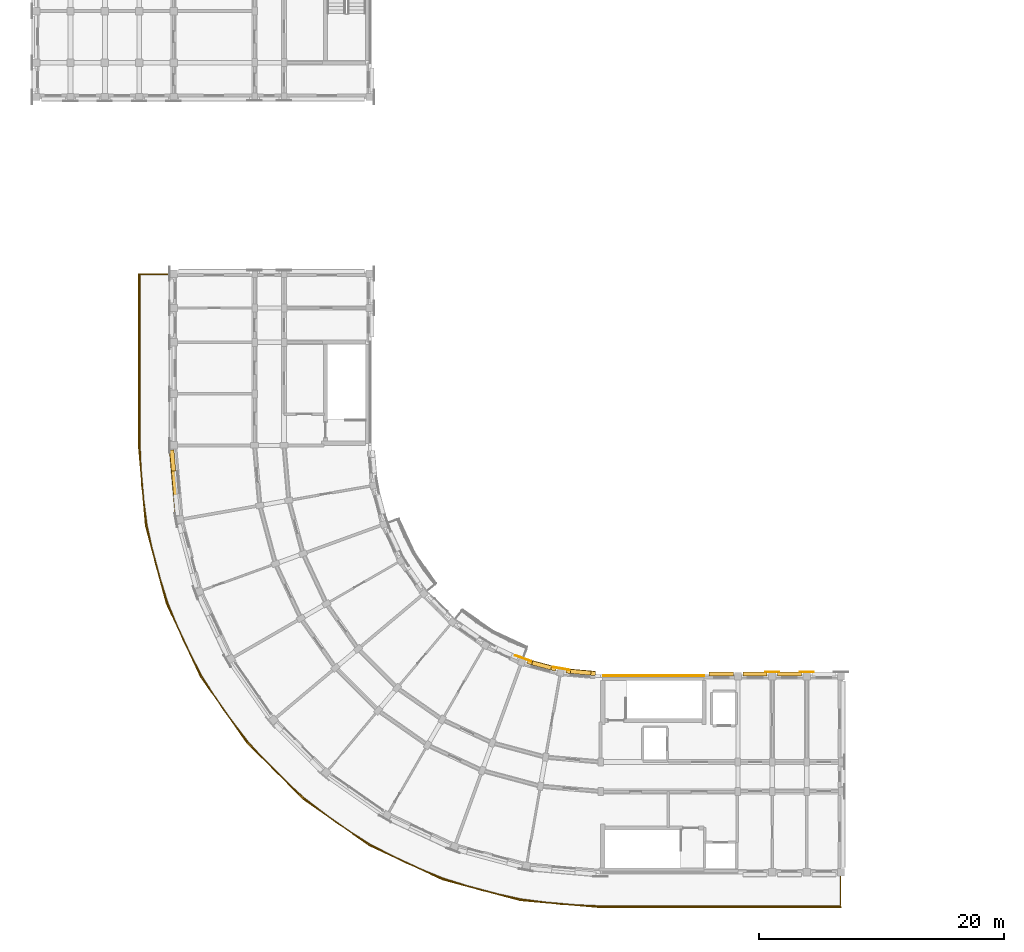
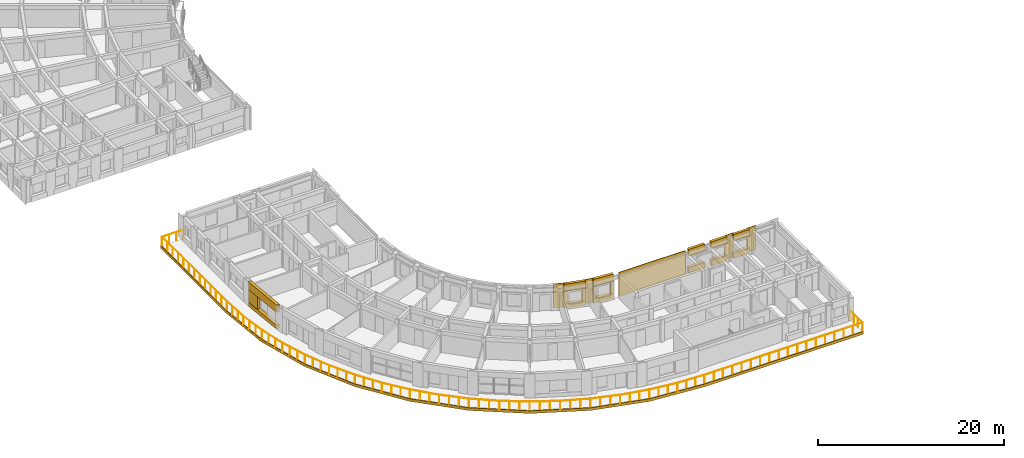
# One storey, part 38 of 53: 23 coverings, 1 railing.
"""IFC4 building model written with IfcOpenShell, lengths in metres."""

from ifc_helpers import new_model, si_unit, direction, frame, origin, origin_2d, place, context, subcontext, project, spatial, polyline, circle, outline, extrude, material, layer, layer_set, type_object, element, save


model = new_model("IFC4")

# Units and contexts
model_context = context("Model", 3, precision=1e-05, world=origin(), true_north=direction((0.0, 1.0)))
body_context = subcontext(model_context, "Body", "Model", "MODEL_VIEW")
ifc_project = project(units=[si_unit("LENGTHUNIT", "METRE"), si_unit("AREAUNIT", "SQUARE_METRE"), si_unit("VOLUMEUNIT", "CUBIC_METRE"), si_unit("PLANEANGLEUNIT", "RADIAN"), si_unit("MASSUNIT", "GRAM", prefix="KILO")], contexts=[model_context])

# Site, building, storey
site_placement = place(None, origin())
site = spatial("IfcSite", under=ifc_project, at=site_placement, CompositionType="ELEMENT")
building_placement = place(site_placement, origin())
building = spatial("IfcBuilding", under=site, at=building_placement, Name="Kiranvali Square Residences", CompositionType="ELEMENT")
storey_placement = place(building_placement, frame((0.0, 0.0, 30.75)))
storey = spatial("IfcBuildingStorey", under=building, at=storey_placement, Name="L09", CompositionType="ELEMENT", Elevation=30.75)

# Coverings
ifc_material_1 = material(Name="Carved Porbandar limestone classical entablature and cornice", Category="masonry")
ifc_layer_1 = layer(ifc_material_1, 0.449951171875)
ifc_layer_set_1 = layer_set([ifc_layer_1], Name="Carved Porbandar limestone classical entablature and cornice")
covering_type_1 = type_object("IfcCoveringType", Name="COV-CLAD-CORN", PredefinedType="CLADDING", material=ifc_layer_set_1)
covering_1_placement = place(storey_placement, frame((0.0, 0.0, -0.280029296875)))
element("IfcCovering", 1, at=covering_1_placement, inside=storey, type_object=covering_type_1, Name="Block C L09 stepped curved terrace stone cornice band", PredefinedType="CLADDING", context=body_context, shape_type="SweptSolid", body=[
    extrude(outline(polyline([(67.800048828125, 10.597900390625), (48.199951171875, 10.597900390625), (41.67041015625, 11.169189453125), (35.33935546875, 12.86572265625), (29.39892578125, 15.6357421875), (24.02978515625, 19.395263671875), (19.395263671875, 24.02978515625), (15.6357421875, 29.39892578125), (12.86572265625, 35.33935546875), (11.169189453125, 41.67041015625), (10.597900390625, 48.199951171875), (10.597900390625, 62.199951171875), (10.514892578125, 62.199951171875), (10.514892578125, 48.199951171875), (11.08740234375, 41.656005859375), (12.78759765625, 35.31103515625), (15.563720703125, 29.357421875), (19.33154296875, 23.9765625), (23.9765625, 19.33154296875), (29.357421875, 15.563720703125), (35.31103515625, 12.78759765625), (41.656005859375, 11.08740234375), (48.199951171875, 10.514892578125), (67.800048828125, 10.514892578125), (67.800048828125, 10.597900390625)])), origin(), (0.0, 0.0, 1.0), 0.360107421875),
])
ifc_material_2 = material(Name="Honed Porbandar limestone ashlar facade cladding", Category="masonry")
ifc_layer_2 = layer(ifc_material_2, 0.3798828125)
ifc_layer_set_2 = layer_set([ifc_layer_2], Name="Honed Porbandar limestone ashlar facade cladding")
covering_type_2 = type_object("IfcCoveringType", Name="COV-CLAD-JAMB", PredefinedType="CLADDING", material=ifc_layer_set_2)
covering_2_placement = place(storey_placement, frame((0.0, 0.0, 0.501953125)))
element("IfcCovering", 2, at=covering_2_placement, inside=storey, type_object=covering_type_2, Name="L09 deep limestone window jamb reveal C-L09-CRV-08.R", PredefinedType="CLADDING", context=body_context, shape_type="SweptSolid", body=[
    extrude(outline(polyline([(13.5810546875, 46.124755859375), (13.429931640625, 47.851318359375), (13.07177734375, 47.820068359375), (13.222900390625, 46.093505859375), (13.5810546875, 46.124755859375)])), origin(), (0.0, 0.0, 1.0), 1.650146484375),
])
covering_3_placement = place(storey_placement, frame((0.0, 0.0, 0.60205078125)))
element("IfcCovering", 3, at=covering_3_placement, inside=storey, type_object=covering_type_2, Name="L09 deep limestone window jamb reveal C-L09-GDN-00.L", PredefinedType="CLADDING", context=body_context, shape_type="SweptSolid", body=[
    extrude(outline(polyline([(47.791259765625, 29.777099609375), (47.419189453125, 29.8095703125), (47.3896484375, 29.471435546875), (47.76171875, 29.43896484375), (47.791259765625, 29.777099609375)])), origin(), (0.0, 0.0, 1.0), 1.599853515625),
])
covering_4_placement = place(storey_placement, frame((0.0, 0.0, 0.60205078125)))
element("IfcCovering", 4, at=covering_4_placement, inside=storey, type_object=covering_type_2, Name="L09 deep limestone window jamb reveal C-L09-GDN-00.R", PredefinedType="CLADDING", context=body_context, shape_type="SweptSolid", body=[
    extrude(outline(polyline([(45.775390625, 29.953369140625), (45.4033203125, 29.986083984375), (45.373779296875, 29.647705078125), (45.745849609375, 29.615234375), (45.775390625, 29.953369140625)])), origin(), (0.0, 0.0, 1.0), 1.599853515625),
])
covering_5_placement = place(storey_placement, frame((0.0, 0.0, 0.552001953125)))
element("IfcCovering", 5, at=covering_5_placement, inside=storey, type_object=covering_type_2, Name="L09 deep limestone window jamb reveal C-L09-GDN-01.L", PredefinedType="CLADDING", context=body_context, shape_type="SweptSolid", body=[
    extrude(outline(polyline([(44.598388671875, 30.1279296875), (44.21337890625, 30.23095703125), (44.12548828125, 29.903076171875), (44.510498046875, 29.800048828125), (44.598388671875, 30.1279296875)])), origin(), (0.0, 0.0, 1.0), 1.64990234375),
])
covering_6_placement = place(storey_placement, frame((0.0, 0.0, 0.552001953125)))
element("IfcCovering", 6, at=covering_6_placement, inside=storey, type_object=covering_type_2, Name="L09 deep limestone window jamb reveal C-L09-GDN-01.R", PredefinedType="CLADDING", context=body_context, shape_type="SweptSolid", body=[
    extrude(outline(polyline([(42.66796875, 30.645263671875), (42.282958984375, 30.748291015625), (42.195068359375, 30.42041015625), (42.580078125, 30.317138671875), (42.66796875, 30.645263671875)])), origin(), (0.0, 0.0, 1.0), 1.64990234375),
])
ifc_layer_3 = layer(ifc_material_2, 0.06494140625)
ifc_layer_set_3 = layer_set([ifc_layer_3], Name="Honed Porbandar limestone ashlar facade cladding")
covering_type_3 = type_object("IfcCoveringType", Name="COV-CLAD-PIER", PredefinedType="CLADDING", material=ifc_layer_set_3)
covering_7_placement = place(storey_placement, frame((0.0, 0.0, 0.0048828125)))
element("IfcCovering", 7, at=covering_7_placement, inside=storey, type_object=covering_type_3, Name="Block C L09 garden stair limestone ashlar cladding", PredefinedType="CLADDING", context=body_context, shape_type="SweptSolid", body=[
    extrude(outline(polyline([(48.39990234375, 29.402099609375), (56.64990234375, 29.402099609375), (56.64990234375, 29.47998046875), (48.39990234375, 29.47998046875), (48.39990234375, 29.402099609375)])), origin(), (0.0, 0.0, 1.0), 3.14013671875),
])
ifc_layer_4 = layer(ifc_material_2, 0.050048828125)
ifc_layer_set_4 = layer_set([ifc_layer_4], Name="Honed Porbandar limestone ashlar facade cladding")
covering_type_4 = type_object("IfcCoveringType", Name="COV-CLAD-PIER-IN", PredefinedType="CLADDING", material=ifc_layer_set_4)
covering_8_placement = place(storey_placement, frame((0.0, 0.0, 0.0048828125)))
element("IfcCovering", 8, at=covering_8_placement, inside=storey, type_object=covering_type_4, Name="L09 Classical garden courtyard pilaster CLAD-PRIN-C-L09-A01", PredefinedType="CLADDING", context=body_context, shape_type="SweptSolid", body=[
    extrude(outline(polyline([(45.688720703125, 29.926513671875), (44.31005859375, 30.169677734375), (44.29833984375, 30.10302734375), (45.677001953125, 29.860107421875), (45.688720703125, 29.926513671875)])), origin(), (0.0, 0.0, 1.0), 3.14013671875),
])
covering_9_placement = place(storey_placement, frame((0.0, 0.0, 0.0048828125)))
element("IfcCovering", 9, at=covering_9_placement, inside=storey, type_object=covering_type_4, Name="L09 Classical garden courtyard pilaster CLAD-PRIN-C-L09-A02", PredefinedType="CLADDING", context=body_context, shape_type="SweptSolid", body=[
    extrude(outline(polyline([(42.5537109375, 30.64013671875), (41.238037109375, 31.118896484375), (41.215087890625, 31.0556640625), (42.530517578125, 30.57666015625), (42.5537109375, 30.64013671875)])), origin(), (0.0, 0.0, 1.0), 3.14013671875),
])
covering_10_placement = place(storey_placement, frame((0.0, 0.0, 0.0048828125)))
element("IfcCovering", 10, at=covering_10_placement, inside=storey, type_object=covering_type_4, Name="L09 Classical limestone pilaster casing CLAD-PRA1I-C-L09-U140", PredefinedType="CLADDING", context=body_context, shape_type="SweptSolid", body=[
    extrude(outline(polyline([(61.6201171875, 29.700439453125), (62.780029296875, 29.700439453125), (62.780029296875, 29.76806640625), (61.6201171875, 29.76806640625), (61.6201171875, 29.700439453125)])), origin(), (0.0, 0.0, 1.0), 3.14013671875),
])
covering_11_placement = place(storey_placement, frame((0.0, 0.0, 0.0048828125)))
element("IfcCovering", 11, at=covering_11_placement, inside=storey, type_object=covering_type_4, Name="L09 Classical limestone pilaster casing CLAD-PRA1I-C-L09-U167", PredefinedType="CLADDING", context=body_context, shape_type="SweptSolid", body=[
    extrude(outline(polyline([(64.419921875, 29.700439453125), (65.580078125, 29.700439453125), (65.580078125, 29.76806640625), (64.419921875, 29.76806640625), (64.419921875, 29.700439453125)])), origin(), (0.0, 0.0, 1.0), 3.14013671875),
])
ifc_layer_5 = layer(ifc_material_2, 0.360107421875)
ifc_layer_set_5 = layer_set([ifc_layer_5], Name="Honed Porbandar limestone ashlar facade cladding")
covering_type_5 = type_object("IfcCoveringType", Name="COV-CLAD-WALL", PredefinedType="CLADDING", material=ifc_layer_set_5)
covering_12_placement = place(storey_placement, frame((0.0, 0.0, 2.152099609375)))
element("IfcCovering", 12, at=covering_12_placement, inside=storey, type_object=covering_type_5, Name="L09 light limestone spandrel lintel C-L09-CRV-08", PredefinedType="CLADDING", context=body_context, shape_type="SweptSolid", body=[
    extrude(outline(polyline([(13.897705078125, 42.505615234375), (13.429931640625, 47.851318359375), (13.07177734375, 47.820068359375), (13.53955078125, 42.474365234375), (13.897705078125, 42.505615234375)])), origin(), (0.0, 0.0, 1.0), 0.992919921875),
])
covering_13_placement = place(storey_placement, frame((0.0, 0.0, 0.0048828125)))
element("IfcCovering", 13, at=covering_13_placement, inside=storey, type_object=covering_type_5, Name="L09 limestone window sill apron C-L09-CRV-08", PredefinedType="CLADDING", context=body_context, shape_type="SweptSolid", body=[
    extrude(outline(polyline([(13.897705078125, 42.505615234375), (13.429931640625, 47.851318359375), (13.0419921875, 47.8173828125), (13.509765625, 42.4716796875), (13.897705078125, 42.505615234375)])), origin(), (0.0, 0.0, 1.0), 0.4970703125),
])
covering_14_placement = place(storey_placement, frame((0.0, 0.0, 2.201904296875)))
element("IfcCovering", 14, at=covering_14_placement, inside=storey, type_object=covering_type_5, Name="L09 light limestone spandrel lintel C-L09-GDN-00", PredefinedType="CLADDING", context=body_context, shape_type="SweptSolid", body=[
    extrude(outline(polyline([(47.791259765625, 29.777099609375), (45.4033203125, 29.986083984375), (45.373779296875, 29.647705078125), (47.76171875, 29.43896484375), (47.791259765625, 29.777099609375)])), origin(), (0.0, 0.0, 1.0), 0.943115234375),
])
covering_15_placement = place(storey_placement, frame((0.0, 0.0, 2.201904296875)))
element("IfcCovering", 15, at=covering_15_placement, inside=storey, type_object=covering_type_5, Name="L09 light limestone spandrel lintel C-L09-GDN-01", PredefinedType="CLADDING", context=body_context, shape_type="SweptSolid", body=[
    extrude(outline(polyline([(44.598388671875, 30.1279296875), (42.282958984375, 30.748291015625), (42.195068359375, 30.42041015625), (44.510498046875, 29.800048828125), (44.598388671875, 30.1279296875)])), origin(), (0.0, 0.0, 1.0), 0.943115234375),
])
covering_16_placement = place(storey_placement, frame((0.0, 0.0, 2.251953125)))
element("IfcCovering", 16, at=covering_16_placement, inside=storey, type_object=covering_type_5, Name="L09 light limestone spandrel lintel C-L09-A1IN-0", PredefinedType="CLADDING", context=body_context, shape_type="SweptSolid", body=[
    extrude(outline(polyline([(57.050048828125, 29.400390625), (59.050048828125, 29.400390625), (59.050048828125, 29.719970703125), (57.050048828125, 29.719970703125), (57.050048828125, 29.400390625)])), origin(), (0.0, 0.0, 1.0), 0.89306640625),
])
covering_17_placement = place(storey_placement, frame((0.0, 0.0, 0.0048828125)))
element("IfcCovering", 17, at=covering_17_placement, inside=storey, type_object=covering_type_5, Name="L09 limestone window sill apron C-L09-A1IN-0", PredefinedType="CLADDING", context=body_context, shape_type="SweptSolid", body=[
    extrude(outline(polyline([(57.050048828125, 29.400390625), (59.050048828125, 29.400390625), (59.050048828125, 29.75), (57.050048828125, 29.75), (57.050048828125, 29.400390625)])), origin(), (0.0, 0.0, 1.0), 0.7470703125),
])
covering_18_placement = place(storey_placement, frame((0.0, 0.0, 2.251953125)))
element("IfcCovering", 18, at=covering_18_placement, inside=storey, type_object=covering_type_5, Name="L09 light limestone spandrel lintel C-L09-A1I-0", PredefinedType="CLADDING", context=body_context, shape_type="SweptSolid", body=[
    extrude(outline(polyline([(59.820068359375, 29.400390625), (61.780029296875, 29.400390625), (61.780029296875, 29.719970703125), (59.820068359375, 29.719970703125), (59.820068359375, 29.400390625)])), origin(), (0.0, 0.0, 1.0), 0.89306640625),
])
covering_19_placement = place(storey_placement, frame((0.0, 0.0, 0.0048828125)))
element("IfcCovering", 19, at=covering_19_placement, inside=storey, type_object=covering_type_5, Name="L09 limestone window sill apron C-L09-A1I-0", PredefinedType="CLADDING", context=body_context, shape_type="SweptSolid", body=[
    extrude(outline(polyline([(59.820068359375, 29.400390625), (61.780029296875, 29.400390625), (61.780029296875, 29.75), (59.820068359375, 29.75), (59.820068359375, 29.400390625)])), origin(), (0.0, 0.0, 1.0), 0.7470703125),
])
covering_20_placement = place(storey_placement, frame((0.0, 0.0, 2.251953125)))
element("IfcCovering", 20, at=covering_20_placement, inside=storey, type_object=covering_type_5, Name="L09 light limestone spandrel lintel C-L09-A1I-1", PredefinedType="CLADDING", context=body_context, shape_type="SweptSolid", body=[
    extrude(outline(polyline([(62.6201171875, 29.400390625), (64.580078125, 29.400390625), (64.580078125, 29.719970703125), (62.6201171875, 29.719970703125), (62.6201171875, 29.400390625)])), origin(), (0.0, 0.0, 1.0), 0.89306640625),
])
covering_21_placement = place(storey_placement, frame((0.0, 0.0, 0.0048828125)))
element("IfcCovering", 21, at=covering_21_placement, inside=storey, type_object=covering_type_5, Name="L09 limestone window sill apron C-L09-A1I-1", PredefinedType="CLADDING", context=body_context, shape_type="SweptSolid", body=[
    extrude(outline(polyline([(62.6201171875, 29.400390625), (64.580078125, 29.400390625), (64.580078125, 29.75), (62.6201171875, 29.75), (62.6201171875, 29.400390625)])), origin(), (0.0, 0.0, 1.0), 0.7470703125),
])
ifc_layer_6 = layer(ifc_material_2, 0.2900390625)
ifc_layer_set_6 = layer_set([ifc_layer_6], Name="Honed Porbandar limestone ashlar facade cladding")
covering_type_6 = type_object("IfcCoveringType", Name="COV-CLAD-WALL-IN", PredefinedType="CLADDING", material=ifc_layer_set_6)
covering_22_placement = place(storey_placement, frame((0.0, 0.0, 0.0048828125)))
element("IfcCovering", 22, at=covering_22_placement, inside=storey, type_object=covering_type_6, Name="L09 limestone window sill apron C-L09-GDN-00", PredefinedType="CLADDING", context=body_context, shape_type="SweptSolid", body=[
    extrude(outline(polyline([(47.7939453125, 29.806884765625), (45.406005859375, 30.015869140625), (45.373779296875, 29.647705078125), (47.76171875, 29.43896484375), (47.7939453125, 29.806884765625)])), origin(), (0.0, 0.0, 1.0), 0.59716796875),
])
covering_23_placement = place(storey_placement, frame((0.0, 0.0, 0.0048828125)))
element("IfcCovering", 23, at=covering_23_placement, inside=storey, type_object=covering_type_6, Name="L09 limestone window sill apron C-L09-GDN-01", PredefinedType="CLADDING", context=body_context, shape_type="SweptSolid", body=[
    extrude(outline(polyline([(44.606201171875, 30.156982421875), (42.290771484375, 30.77734375), (42.195068359375, 30.42041015625), (44.510498046875, 29.800048828125), (44.606201171875, 30.156982421875)])), origin(), (0.0, 0.0, 1.0), 0.547119140625),
])

# Railing
ifc_material_3 = material(Name="Powder-coated architectural bronze balustrade", Category="steel")
railing_type = type_object("IfcRailingType", Name="RL-TER-GOLD-1200", PredefinedType="BALUSTRADE", material=ifc_material_3)
railing_placement = place(storey_placement, frame((67.75, 13.360107421875, 0.0)))
element("IfcRailing", 24, at=railing_placement, inside=storey, type_object=railing_type, Name="Block C L09 stepped curved corner terrace gold balustrade", PredefinedType="BALUSTRADE", context=body_context, shape_type="SweptSolid", body=[
    extrude(circle(Radius=0.02392578125, at=origin_2d()), frame((0.0, 0.0, 1.17578125), z_axis=(0.0, -1.0, 0.0), x_axis=(1.0, 0.0, 0.0)), (0.0, 0.0, 1.0), 2.7001953125),
    extrude(circle(Radius=0.02392578125, at=origin_2d()), frame((0.0, -2.7001953125, 1.17578125), z_axis=(-1.0, 0.0, 0.0), x_axis=(0.0, -1.0, 0.0)), (0.0, 0.0, 1.0), 19.550048828125),
    extrude(circle(Radius=0.02392578125, at=origin_2d()), frame((-19.550048828125, -2.7001953125, 1.17578125), z_axis=(-0.99904854739, 0.0436119245, 0.0), x_axis=(-0.0436119245, -0.99904854739, 0.0)), (0.0, 0.0, 1.0), 3.27490234375),
    extrude(circle(Radius=0.02392578125, at=origin_2d()), frame((-22.82177734375, -2.557373046875, 1.17578125), z_axis=(-0.991444651245, 0.130527788296, 0.0), x_axis=(-0.130527788296, -0.991444651245, 0.0)), (0.0, 0.0, 1.0), 3.275146484375),
    extrude(circle(Radius=0.02392578125, at=origin_2d()), frame((-26.06884765625, -2.1298828125, 1.17578125), z_axis=(-0.97628518852, 0.216488407717, 0.0), x_axis=(-0.216488407717, -0.97628518852, 0.0)), (0.0, 0.0, 1.0), 3.27490234375),
    extrude(circle(Radius=0.02392578125, at=origin_2d()), frame((-29.26611328125, -1.4208984375, 1.17578125), z_axis=(-0.953730150177, 0.300663933062, 0.0), x_axis=(-0.300663933062, -0.953730150177, 0.0)), (0.0, 0.0, 1.0), 3.27490234375),
    extrude(circle(Radius=0.02392578125, at=origin_2d()), frame((-32.389404296875, -0.436279296875, 1.17578125), z_axis=(-0.923862365102, 0.382724875529, 0.0), x_axis=(-0.382724875529, -0.923862365102, 0.0)), (0.0, 0.0, 1.0), 3.27490234375),
    extrude(circle(Radius=0.02392578125, at=origin_2d()), frame((-35.4150390625, 0.817138671875, 1.17578125), z_axis=(-0.887017774073, 0.461735279655, 0.0), x_axis=(-0.461735279655, -0.887017774073, 0.0)), (0.0, 0.0, 1.0), 3.275146484375),
    extrude(circle(Radius=0.02392578125, at=origin_2d()), frame((-38.320068359375, 2.329345703125, 1.17578125), z_axis=(-0.843397386884, 0.537290282619, 0.0), x_axis=(-0.537290282619, -0.843397386884, 0.0)), (0.0, 0.0, 1.0), 3.27490234375),
    extrude(circle(Radius=0.02392578125, at=origin_2d()), frame((-41.08203125, 4.0888671875, 1.17578125), z_axis=(-0.793349516831, 0.608766411806, 0.0), x_axis=(-0.608766411806, -0.793349516831, 0.0)), (0.0, 0.0, 1.0), 3.27490234375),
    extrude(circle(Radius=0.02392578125, at=origin_2d()), frame((-43.68017578125, 6.08251953125, 1.17578125), z_axis=(-0.737259339497, 0.675609847711, 0.0), x_axis=(-0.675609847711, -0.737259339497, 0.0)), (0.0, 0.0, 1.0), 3.275146484375),
    extrude(circle(Radius=0.02392578125, at=origin_2d()), frame((-46.0947265625, 8.295166015625, 1.17578125), z_axis=(-0.675609847711, 0.737259339497, 0.0), x_axis=(-0.737259339497, -0.675609847711, 0.0)), (0.0, 0.0, 1.0), 3.275146484375),
    extrude(circle(Radius=0.02392578125, at=origin_2d()), frame((-48.307373046875, 10.709716796875, 1.17578125), z_axis=(-0.608766411806, 0.793349516831, 0.0), x_axis=(-0.793349516831, -0.608766411806, 0.0)), (0.0, 0.0, 1.0), 3.27490234375),
    extrude(circle(Radius=0.02392578125, at=origin_2d()), frame((-50.301025390625, 13.307861328125, 1.17578125), z_axis=(-0.537290282619, 0.843397386884, 0.0), x_axis=(-0.843397386884, -0.537290282619, 0.0)), (0.0, 0.0, 1.0), 3.27490234375),
    extrude(circle(Radius=0.02392578125, at=origin_2d()), frame((-52.060546875, 16.06982421875, 1.17578125), z_axis=(-0.461735279655, 0.887017774073, 0.0), x_axis=(-0.887017774073, -0.461735279655, 0.0)), (0.0, 0.0, 1.0), 3.275146484375),
    extrude(circle(Radius=0.02392578125, at=origin_2d()), frame((-53.57275390625, 18.974853515625, 1.17578125), z_axis=(-0.382724875529, 0.923862365102, 0.0), x_axis=(-0.923862365102, -0.382724875529, 0.0)), (0.0, 0.0, 1.0), 3.27490234375),
    extrude(circle(Radius=0.02392578125, at=origin_2d()), frame((-54.826171875, 22.00048828125, 1.17578125), z_axis=(-0.300663933062, 0.953730150177, 0.0), x_axis=(-0.953730150177, -0.300663933062, 0.0)), (0.0, 0.0, 1.0), 3.27490234375),
    extrude(circle(Radius=0.02392578125, at=origin_2d()), frame((-55.810791015625, 25.123779296875, 1.17578125), z_axis=(-0.216488407717, 0.97628518852, 0.0), x_axis=(-0.97628518852, -0.216488407717, 0.0)), (0.0, 0.0, 1.0), 3.27490234375),
    extrude(circle(Radius=0.02392578125, at=origin_2d()), frame((-56.519775390625, 28.321044921875, 1.17578125), z_axis=(-0.130527788296, 0.991444651245, 0.0), x_axis=(-0.991444651245, -0.130527788296, 0.0)), (0.0, 0.0, 1.0), 3.275146484375),
    extrude(circle(Radius=0.02392578125, at=origin_2d()), frame((-56.947265625, 31.568115234375, 1.17578125), z_axis=(-0.0436119245, 0.99904854739, 0.0), x_axis=(-0.99904854739, -0.0436119245, 0.0)), (0.0, 0.0, 1.0), 3.27490234375),
    extrude(circle(Radius=0.02392578125, at=origin_2d()), frame((-57.090087890625, 34.83984375, 1.17578125), z_axis=(0.0, 1.0, 0.0), x_axis=(-1.0, 0.0, 0.0)), (0.0, 0.0, 1.0), 13.949951171875),
    extrude(circle(Radius=0.02392578125, at=origin_2d()), frame((-57.090087890625, 48.789794921875, 1.17578125), z_axis=(1.0, 0.0, 0.0), x_axis=(0.0, 1.0, 0.0)), (0.0, 0.0, 1.0), 2.7001953125),
    extrude(circle(Radius=0.02099609375, at=origin_2d()), origin(), (0.0, 0.0, 1.0), 1.15185546875),
    extrude(circle(Radius=0.02099609375, at=origin_2d()), frame((0.0, -0.900146484375, 0.0)), (0.0, 0.0, 1.0), 1.15185546875),
    extrude(circle(Radius=0.02099609375, at=origin_2d()), frame((0.0, -1.800048828125, 0.0)), (0.0, 0.0, 1.0), 1.15185546875),
    extrude(circle(Radius=0.02099609375, at=origin_2d()), frame((0.0, -2.7001953125, 0.0)), (0.0, 0.0, 1.0), 1.15185546875),
    extrude(circle(Radius=0.02099609375, at=origin_2d()), frame((-1.14990234375, -2.7001953125, 0.0)), (0.0, 0.0, 1.0), 1.15185546875),
    extrude(circle(Radius=0.02099609375, at=origin_2d()), frame((-2.300048828125, -2.7001953125, 0.0)), (0.0, 0.0, 1.0), 1.15185546875),
    extrude(circle(Radius=0.02099609375, at=origin_2d()), frame((-3.449951171875, -2.7001953125, 0.0)), (0.0, 0.0, 1.0), 1.15185546875),
    extrude(circle(Radius=0.02099609375, at=origin_2d()), frame((-4.60009765625, -2.7001953125, 0.0)), (0.0, 0.0, 1.0), 1.15185546875),
    extrude(circle(Radius=0.02099609375, at=origin_2d()), frame((-5.75, -2.7001953125, 0.0)), (0.0, 0.0, 1.0), 1.15185546875),
    extrude(circle(Radius=0.02099609375, at=origin_2d()), frame((-6.89990234375, -2.7001953125, 0.0)), (0.0, 0.0, 1.0), 1.15185546875),
    extrude(circle(Radius=0.02099609375, at=origin_2d()), frame((-8.050048828125, -2.7001953125, 0.0)), (0.0, 0.0, 1.0), 1.15185546875),
    extrude(circle(Radius=0.02099609375, at=origin_2d()), frame((-9.199951171875, -2.7001953125, 0.0)), (0.0, 0.0, 1.0), 1.15185546875),
    extrude(circle(Radius=0.02099609375, at=origin_2d()), frame((-10.35009765625, -2.7001953125, 0.0)), (0.0, 0.0, 1.0), 1.15185546875),
    extrude(circle(Radius=0.02099609375, at=origin_2d()), frame((-11.5, -2.7001953125, 0.0)), (0.0, 0.0, 1.0), 1.15185546875),
    extrude(circle(Radius=0.02099609375, at=origin_2d()), frame((-12.650146484375, -2.7001953125, 0.0)), (0.0, 0.0, 1.0), 1.15185546875),
    extrude(circle(Radius=0.02099609375, at=origin_2d()), frame((-13.800048828125, -2.7001953125, 0.0)), (0.0, 0.0, 1.0), 1.15185546875),
    extrude(circle(Radius=0.02099609375, at=origin_2d()), frame((-14.949951171875, -2.7001953125, 0.0)), (0.0, 0.0, 1.0), 1.15185546875),
    extrude(circle(Radius=0.02099609375, at=origin_2d()), frame((-16.10009765625, -2.7001953125, 0.0)), (0.0, 0.0, 1.0), 1.15185546875),
    extrude(circle(Radius=0.02099609375, at=origin_2d()), frame((-17.25, -2.7001953125, 0.0)), (0.0, 0.0, 1.0), 1.15185546875),
    extrude(circle(Radius=0.02099609375, at=origin_2d()), frame((-18.400146484375, -2.7001953125, 0.0)), (0.0, 0.0, 1.0), 1.15185546875),
    extrude(circle(Radius=0.02099609375, at=origin_2d()), frame((-19.550048828125, -2.7001953125, 0.0)), (0.0, 0.0, 1.0), 1.15185546875),
    extrude(circle(Radius=0.02099609375, at=origin_2d()), frame((-20.640625, -2.652587890625, 0.0)), (0.0, 0.0, 1.0), 1.15185546875),
    extrude(circle(Radius=0.02099609375, at=origin_2d()), frame((-21.731201171875, -2.60498046875, 0.0)), (0.0, 0.0, 1.0), 1.15185546875),
    extrude(circle(Radius=0.02099609375, at=origin_2d()), frame((-22.82177734375, -2.557373046875, 0.0)), (0.0, 0.0, 1.0), 1.15185546875),
    extrude(circle(Radius=0.02099609375, at=origin_2d()), frame((-23.904052734375, -2.414794921875, 0.0)), (0.0, 0.0, 1.0), 1.15185546875),
    extrude(circle(Radius=0.02099609375, at=origin_2d()), frame((-24.986572265625, -2.2724609375, 0.0)), (0.0, 0.0, 1.0), 1.15185546875),
    extrude(circle(Radius=0.02099609375, at=origin_2d()), frame((-26.06884765625, -2.1298828125, 0.0)), (0.0, 0.0, 1.0), 1.15185546875),
    extrude(circle(Radius=0.02099609375, at=origin_2d()), frame((-27.134521484375, -1.8935546875, 0.0)), (0.0, 0.0, 1.0), 1.15185546875),
    extrude(circle(Radius=0.02099609375, at=origin_2d()), frame((-28.200439453125, -1.6572265625, 0.0)), (0.0, 0.0, 1.0), 1.15185546875),
    extrude(circle(Radius=0.02099609375, at=origin_2d()), frame((-29.26611328125, -1.4208984375, 0.0)), (0.0, 0.0, 1.0), 1.15185546875),
    extrude(circle(Radius=0.02099609375, at=origin_2d()), frame((-30.30712890625, -1.0927734375, 0.0)), (0.0, 0.0, 1.0), 1.15185546875),
    extrude(circle(Radius=0.02099609375, at=origin_2d()), frame((-31.348388671875, -0.764404296875, 0.0)), (0.0, 0.0, 1.0), 1.15185546875),
    extrude(circle(Radius=0.02099609375, at=origin_2d()), frame((-32.389404296875, -0.436279296875, 0.0)), (0.0, 0.0, 1.0), 1.15185546875),
    extrude(circle(Radius=0.02099609375, at=origin_2d()), frame((-33.39794921875, -0.0185546875, 0.0)), (0.0, 0.0, 1.0), 1.15185546875),
    extrude(circle(Radius=0.02099609375, at=origin_2d()), frame((-34.406494140625, 0.3994140625, 0.0)), (0.0, 0.0, 1.0), 1.15185546875),
    extrude(circle(Radius=0.02099609375, at=origin_2d()), frame((-35.4150390625, 0.817138671875, 0.0)), (0.0, 0.0, 1.0), 1.15185546875),
    extrude(circle(Radius=0.02099609375, at=origin_2d()), frame((-36.38330078125, 1.3212890625, 0.0)), (0.0, 0.0, 1.0), 1.15185546875),
    extrude(circle(Radius=0.02099609375, at=origin_2d()), frame((-37.351806640625, 1.8251953125, 0.0)), (0.0, 0.0, 1.0), 1.15185546875),
    extrude(circle(Radius=0.02099609375, at=origin_2d()), frame((-38.320068359375, 2.329345703125, 0.0)), (0.0, 0.0, 1.0), 1.15185546875),
    extrude(circle(Radius=0.02099609375, at=origin_2d()), frame((-39.24072265625, 2.915771484375, 0.0)), (0.0, 0.0, 1.0), 1.15185546875),
    extrude(circle(Radius=0.02099609375, at=origin_2d()), frame((-40.161376953125, 3.50244140625, 0.0)), (0.0, 0.0, 1.0), 1.15185546875),
    extrude(circle(Radius=0.02099609375, at=origin_2d()), frame((-41.08203125, 4.0888671875, 0.0)), (0.0, 0.0, 1.0), 1.15185546875),
    extrude(circle(Radius=0.02099609375, at=origin_2d()), frame((-41.947998046875, 4.75341796875, 0.0)), (0.0, 0.0, 1.0), 1.15185546875),
    extrude(circle(Radius=0.02099609375, at=origin_2d()), frame((-42.814208984375, 5.41796875, 0.0)), (0.0, 0.0, 1.0), 1.15185546875),
    extrude(circle(Radius=0.02099609375, at=origin_2d()), frame((-43.68017578125, 6.08251953125, 0.0)), (0.0, 0.0, 1.0), 1.15185546875),
    extrude(circle(Radius=0.02099609375, at=origin_2d()), frame((-44.485107421875, 6.820068359375, 0.0)), (0.0, 0.0, 1.0), 1.15185546875),
    extrude(circle(Radius=0.02099609375, at=origin_2d()), frame((-45.289794921875, 7.5576171875, 0.0)), (0.0, 0.0, 1.0), 1.15185546875),
    extrude(circle(Radius=0.02099609375, at=origin_2d()), frame((-46.0947265625, 8.295166015625, 0.0)), (0.0, 0.0, 1.0), 1.15185546875),
    extrude(circle(Radius=0.02099609375, at=origin_2d()), frame((-46.832275390625, 9.10009765625, 0.0)), (0.0, 0.0, 1.0), 1.15185546875),
    extrude(circle(Radius=0.02099609375, at=origin_2d()), frame((-47.56982421875, 9.90478515625, 0.0)), (0.0, 0.0, 1.0), 1.15185546875),
    extrude(circle(Radius=0.02099609375, at=origin_2d()), frame((-48.307373046875, 10.709716796875, 0.0)), (0.0, 0.0, 1.0), 1.15185546875),
    extrude(circle(Radius=0.02099609375, at=origin_2d()), frame((-48.971923828125, 11.57568359375, 0.0)), (0.0, 0.0, 1.0), 1.15185546875),
    extrude(circle(Radius=0.02099609375, at=origin_2d()), frame((-49.636474609375, 12.44189453125, 0.0)), (0.0, 0.0, 1.0), 1.15185546875),
    extrude(circle(Radius=0.02099609375, at=origin_2d()), frame((-50.301025390625, 13.307861328125, 0.0)), (0.0, 0.0, 1.0), 1.15185546875),
    extrude(circle(Radius=0.02099609375, at=origin_2d()), frame((-50.887451171875, 14.228515625, 0.0)), (0.0, 0.0, 1.0), 1.15185546875),
    extrude(circle(Radius=0.02099609375, at=origin_2d()), frame((-51.47412109375, 15.149169921875, 0.0)), (0.0, 0.0, 1.0), 1.15185546875),
    extrude(circle(Radius=0.02099609375, at=origin_2d()), frame((-52.060546875, 16.06982421875, 0.0)), (0.0, 0.0, 1.0), 1.15185546875),
    extrude(circle(Radius=0.02099609375, at=origin_2d()), frame((-52.564697265625, 17.0380859375, 0.0)), (0.0, 0.0, 1.0), 1.15185546875),
    extrude(circle(Radius=0.02099609375, at=origin_2d()), frame((-53.068603515625, 18.006591796875, 0.0)), (0.0, 0.0, 1.0), 1.15185546875),
    extrude(circle(Radius=0.02099609375, at=origin_2d()), frame((-53.57275390625, 18.974853515625, 0.0)), (0.0, 0.0, 1.0), 1.15185546875),
    extrude(circle(Radius=0.02099609375, at=origin_2d()), frame((-53.990478515625, 19.9833984375, 0.0)), (0.0, 0.0, 1.0), 1.15185546875),
    extrude(circle(Radius=0.02099609375, at=origin_2d()), frame((-54.408447265625, 20.991943359375, 0.0)), (0.0, 0.0, 1.0), 1.15185546875),
    extrude(circle(Radius=0.02099609375, at=origin_2d()), frame((-54.826171875, 22.00048828125, 0.0)), (0.0, 0.0, 1.0), 1.15185546875),
    extrude(circle(Radius=0.02099609375, at=origin_2d()), frame((-55.154296875, 23.04150390625, 0.0)), (0.0, 0.0, 1.0), 1.15185546875),
    extrude(circle(Radius=0.02099609375, at=origin_2d()), frame((-55.482666015625, 24.082763671875, 0.0)), (0.0, 0.0, 1.0), 1.15185546875),
    extrude(circle(Radius=0.02099609375, at=origin_2d()), frame((-55.810791015625, 25.123779296875, 0.0)), (0.0, 0.0, 1.0), 1.15185546875),
    extrude(circle(Radius=0.02099609375, at=origin_2d()), frame((-56.047119140625, 26.189453125, 0.0)), (0.0, 0.0, 1.0), 1.15185546875),
    extrude(circle(Radius=0.02099609375, at=origin_2d()), frame((-56.283447265625, 27.25537109375, 0.0)), (0.0, 0.0, 1.0), 1.15185546875),
    extrude(circle(Radius=0.02099609375, at=origin_2d()), frame((-56.519775390625, 28.321044921875, 0.0)), (0.0, 0.0, 1.0), 1.15185546875),
    extrude(circle(Radius=0.02099609375, at=origin_2d()), frame((-56.662353515625, 29.4033203125, 0.0)), (0.0, 0.0, 1.0), 1.15185546875),
    extrude(circle(Radius=0.02099609375, at=origin_2d()), frame((-56.8046875, 30.48583984375, 0.0)), (0.0, 0.0, 1.0), 1.15185546875),
    extrude(circle(Radius=0.02099609375, at=origin_2d()), frame((-56.947265625, 31.568115234375, 0.0)), (0.0, 0.0, 1.0), 1.15185546875),
    extrude(circle(Radius=0.02099609375, at=origin_2d()), frame((-56.994873046875, 32.65869140625, 0.0)), (0.0, 0.0, 1.0), 1.15185546875),
    extrude(circle(Radius=0.02099609375, at=origin_2d()), frame((-57.04248046875, 33.749267578125, 0.0)), (0.0, 0.0, 1.0), 1.15185546875),
    extrude(circle(Radius=0.02099609375, at=origin_2d()), frame((-57.090087890625, 34.83984375, 0.0)), (0.0, 0.0, 1.0), 1.15185546875),
    extrude(circle(Radius=0.02099609375, at=origin_2d()), frame((-57.090087890625, 36.00244140625, 0.0)), (0.0, 0.0, 1.0), 1.15185546875),
    extrude(circle(Radius=0.02099609375, at=origin_2d()), frame((-57.090087890625, 37.164794921875, 0.0)), (0.0, 0.0, 1.0), 1.15185546875),
    extrude(circle(Radius=0.02099609375, at=origin_2d()), frame((-57.090087890625, 38.327392578125, 0.0)), (0.0, 0.0, 1.0), 1.15185546875),
    extrude(circle(Radius=0.02099609375, at=origin_2d()), frame((-57.090087890625, 39.48974609375, 0.0)), (0.0, 0.0, 1.0), 1.15185546875),
    extrude(circle(Radius=0.02099609375, at=origin_2d()), frame((-57.090087890625, 40.65234375, 0.0)), (0.0, 0.0, 1.0), 1.15185546875),
    extrude(circle(Radius=0.02099609375, at=origin_2d()), frame((-57.090087890625, 41.81494140625, 0.0)), (0.0, 0.0, 1.0), 1.15185546875),
    extrude(circle(Radius=0.02099609375, at=origin_2d()), frame((-57.090087890625, 42.977294921875, 0.0)), (0.0, 0.0, 1.0), 1.15185546875),
    extrude(circle(Radius=0.02099609375, at=origin_2d()), frame((-57.090087890625, 44.139892578125, 0.0)), (0.0, 0.0, 1.0), 1.15185546875),
    extrude(circle(Radius=0.02099609375, at=origin_2d()), frame((-57.090087890625, 45.30224609375, 0.0)), (0.0, 0.0, 1.0), 1.15185546875),
    extrude(circle(Radius=0.02099609375, at=origin_2d()), frame((-57.090087890625, 46.46484375, 0.0)), (0.0, 0.0, 1.0), 1.15185546875),
    extrude(circle(Radius=0.02099609375, at=origin_2d()), frame((-57.090087890625, 47.627197265625, 0.0)), (0.0, 0.0, 1.0), 1.15185546875),
    extrude(circle(Radius=0.02099609375, at=origin_2d()), frame((-57.090087890625, 48.789794921875, 0.0)), (0.0, 0.0, 1.0), 1.15185546875),
    extrude(circle(Radius=0.02099609375, at=origin_2d()), frame((-56.18994140625, 48.789794921875, 0.0)), (0.0, 0.0, 1.0), 1.15185546875),
    extrude(circle(Radius=0.02099609375, at=origin_2d()), frame((-55.2900390625, 48.789794921875, 0.0)), (0.0, 0.0, 1.0), 1.15185546875),
    extrude(circle(Radius=0.02099609375, at=origin_2d()), frame((-54.389892578125, 48.789794921875, 0.0)), (0.0, 0.0, 1.0), 1.15185546875),
])

save(model, "model.ifc")
